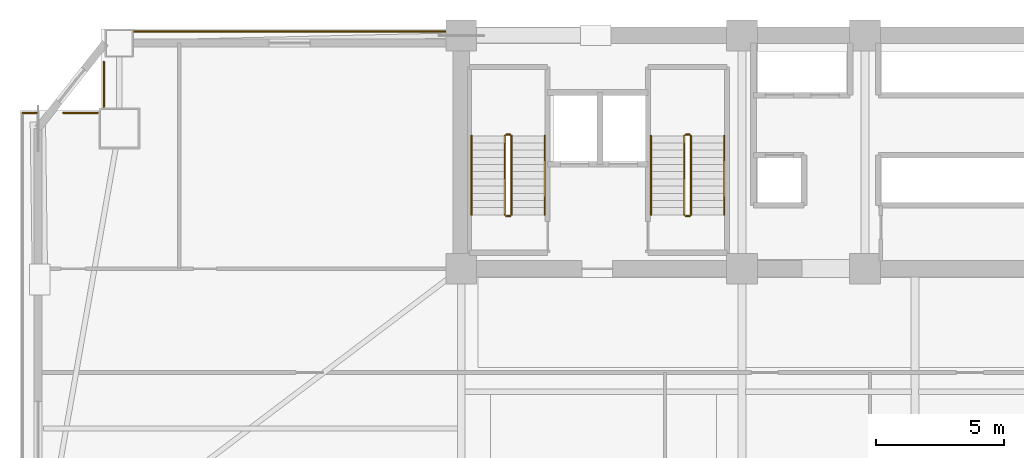
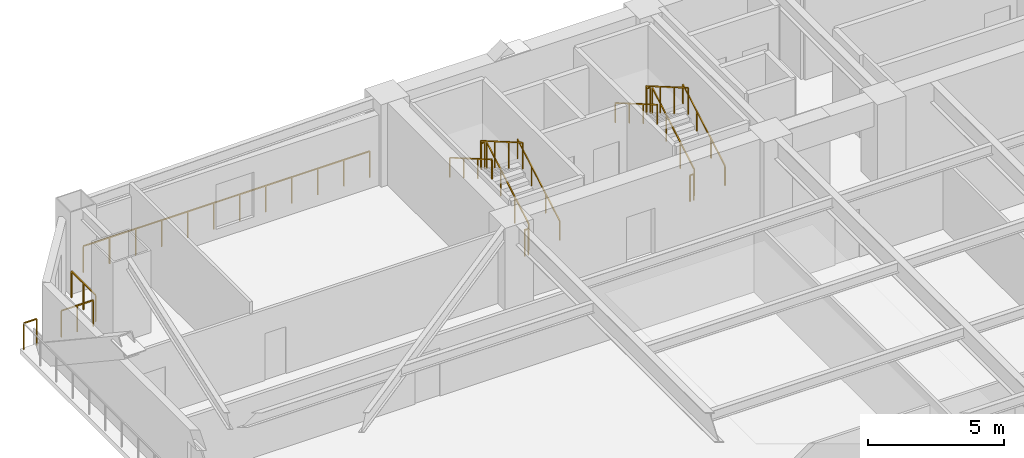
# One storey, part 15 of 17: 16 railings.
"""IFC4 building model written with IfcOpenShell, lengths in metres."""

import ifcopenshell
import ifcopenshell.guid

model = None  # the IFC model being written
_history = None  # IfcOwnerHistory: only IFC2X3 demands one
_inside = {}  # id of a spatial element -> (the spatial element, [elements in it])
_under = {}  # id of a project, library or spatial element -> (it, [spatial elements below it])
_declared = {}  # id of a project -> (the project, [libraries it declares])
_typed = {}  # id of a type object -> (the type object, [elements of that type])
_made_of = {}  # id of a material, layer set ... -> (it, [elements and type objects made of it])


def new_model(schema):
    """Start an empty IFC model of exactly this schema.

    Asked for "IFC4X3", IfcOpenShell would pick the latest addendum, in which some entities
    have other attributes; the version numbers below select the first issue.
    IFC2X3 requires an IfcOwnerHistory on every rooted entity: one is made here for all.
    """
    global model, _history
    if schema == "IFC4X3":
        model = ifcopenshell.file(schema_version=(4, 3, 0, 0))
    else:
        model = ifcopenshell.file(schema=schema)
    _inside.clear()
    _under.clear()
    _declared.clear()
    _typed.clear()
    _made_of.clear()
    _history = None
    if model.schema == "IFC2X3":
        org = make("IfcOrganization", Name="unknown")
        user = make(
            "IfcPersonAndOrganization",
            ThePerson=make("IfcPerson", FamilyName="unknown"),
            TheOrganization=org,
        )
        app = make(
            "IfcApplication",
            ApplicationDeveloper=org,
            Version="unknown",
            ApplicationFullName="unknown",
            ApplicationIdentifier="unknown",
        )
        _history = make(
            "IfcOwnerHistory",
            OwningUser=user,
            OwningApplication=app,
            ChangeAction="ADDED",
            CreationDate=0,
        )
    return model


def make(cls, **values):
    """One entity of the class cls with the attributes given. An attribute that is None is left unset."""
    return model.create_entity(
        cls, **{name: value for name, value in values.items() if value is not None}
    )


def rooted(cls, **values):
    """An entity with a GlobalId (a new one), such as an element, a storey or a relation."""
    return make(cls, GlobalId=ifcopenshell.guid.new(), OwnerHistory=_history, **values)


def si_unit(unit_type, name, prefix=None):
    """IfcSIUnit, for example si_unit("LENGTHUNIT", "METRE", prefix="MILLI")."""
    return make("IfcSIUnit", UnitType=unit_type, Prefix=prefix, Name=name)


def assignment(units):
    """IfcUnitAssignment: the units of a project."""
    return None if units is None else make("IfcUnitAssignment", Units=units)


def point(xyz):
    """IfcCartesianPoint."""
    return None if xyz is None else make("IfcCartesianPoint", Coordinates=xyz)


def direction(xyz):
    """IfcDirection."""
    return None if xyz is None else make("IfcDirection", DirectionRatios=xyz)


def frame(location, z_axis=None, x_axis=None):
    """IfcAxis2Placement3D, a coordinate frame: its origin and axes. An axis left out is left unset."""
    return make(
        "IfcAxis2Placement3D",
        Location=point(location),
        Axis=direction(z_axis),
        RefDirection=direction(x_axis),
    )


def frame_2d(location, x_axis=None):
    """IfcAxis2Placement2D, a coordinate frame in the plane: its origin and x axis."""
    return make(
        "IfcAxis2Placement2D", Location=point(location), RefDirection=direction(x_axis)
    )


def origin():
    """The frame at (0, 0, 0) with its axes left unset."""
    return frame((0.0, 0.0, 0.0))


def origin_2d():
    """The frame at (0, 0) in the plane with its x axis left unset."""
    return frame_2d((0.0, 0.0))


def place(relative_to, where):
    """IfcLocalPlacement: puts the frame where relative to a parent placement (None: the world)."""
    return make(
        "IfcLocalPlacement", PlacementRelTo=relative_to, RelativePlacement=where
    )


def context(
    kind, dimensions, precision=None, world=None, true_north=None, identifier=None
):
    """IfcGeometricRepresentationContext, for example the 3D "Model" context."""
    return make(
        "IfcGeometricRepresentationContext",
        ContextIdentifier=identifier,
        ContextType=kind,
        CoordinateSpaceDimension=dimensions,
        Precision=precision,
        WorldCoordinateSystem=world,
        TrueNorth=true_north,
    )


def subcontext(parent, identifier, kind, view, scale=None):
    """IfcGeometricRepresentationSubContext, for example "Body" below "Model"."""
    return make(
        "IfcGeometricRepresentationSubContext",
        ContextIdentifier=identifier,
        ContextType=kind,
        ParentContext=parent,
        TargetScale=scale,
        TargetView=view,
    )


def project(units=None, contexts=None):
    """IfcProject with its units and contexts."""
    return rooted(
        "IfcProject",
        Name="project",
        RepresentationContexts=contexts,
        UnitsInContext=assignment(units),
    )


def spatial(cls, under=None, at=None, **own):
    """A site, building, storey or space (cls), placed at a placement, below another one or the project."""
    s = rooted(cls, ObjectPlacement=at, **own)
    if under is not None:
        _under.setdefault(under.id(), (under, []))[1].append(s)
    return s


def profile(cls, at=None, kind="AREA", **sizes):
    """A parametric profile (cls). Its sizes go by their IFC names, for example OverallWidth=200.0."""
    return make(cls, ProfileType=kind, Position=at, **sizes)


def rectangle(**sizes):
    """IfcRectangleProfileDef."""
    return profile("IfcRectangleProfileDef", **sizes)


def extrude(swept, where, along, depth):
    """IfcExtrudedAreaSolid: the profile swept, set in the frame where, extruded along a direction by depth."""
    return make(
        "IfcExtrudedAreaSolid",
        SweptArea=swept,
        Position=where,
        ExtrudedDirection=direction(along),
        Depth=depth,
    )


def shape(context_of_items, identifier, shape_type, items):
    """IfcShapeRepresentation: the items that make up one representation, for example the "Body"."""
    return make(
        "IfcShapeRepresentation",
        ContextOfItems=context_of_items,
        RepresentationIdentifier=identifier,
        RepresentationType=shape_type,
        Items=items,
    )


def material(Name=None, Category=None):
    """IfcMaterial."""
    return make("IfcMaterial", Name=Name, Category=Category)


def made_of(thing, what):
    """Note that an element or type object is made of a material, layer set ...; save() writes the relation."""
    if what is not None:
        _made_of.setdefault(what.id(), (what, []))[1].append(thing)
    return thing


def type_object(cls, material=None, **own):
    """A type object (cls), such as IfcWallType, which elements share."""
    return made_of(rooted(cls, **own), material)


def element(
    cls,
    number,
    at=None,
    inside=None,
    cuts=None,
    type_object=None,
    material=None,
    context=None,
    identifier="Body",
    shape_type=None,
    held_by="IfcProductDefinitionShape",
    body=None,
    shapes=None,
    **own,
):
    """One element of the class cls, such as IfcWall. Its Tag is "e" and its number.

    at: its placement. inside: the storey or other place that contains it. cuts: it is an
    opening in that element (IfcRelVoidsElement). A single representation is given by context,
    identifier, shape_type and body (its items); several are given by shapes. held_by: the class
    of the entity that holds the representations. save() writes the other relations.
    """
    e = rooted(cls, Tag="e%d" % number, ObjectPlacement=at, **own)
    if body is not None:
        shapes = [shape(context, identifier, shape_type, body)]
    if shapes is not None:
        e.Representation = make(held_by, Representations=shapes)
    if inside is not None:
        _inside.setdefault(inside.id(), (inside, []))[1].append(e)
    if cuts is not None:
        rooted(
            "IfcRelVoidsElement", RelatingBuildingElement=cuts, RelatedOpeningElement=e
        )
    if type_object is not None:
        _typed.setdefault(type_object.id(), (type_object, []))[1].append(e)
    return made_of(e, material)


def aggregate(whole, parts):
    """IfcRelAggregates: a whole, such as a stair, and the parts it consists of."""
    return rooted("IfcRelAggregates", RelatingObject=whole, RelatedObjects=parts)


def save(model, path):
    """Write the relations noted so far, then the file.

    IfcRelAggregates (storeys below a building ...), IfcRelContainedInSpatialStructure (elements
    in a storey), IfcRelDefinesByType, IfcRelAssociatesMaterial and IfcRelDeclares: one each for
    every whole, place, type object, material and project.
    """
    for whole, parts in _under.values():
        aggregate(whole, parts)
    for where, things in _inside.values():
        rooted(
            "IfcRelContainedInSpatialStructure",
            RelatedElements=things,
            RelatingStructure=where,
        )
    for kind, things in _typed.values():
        rooted("IfcRelDefinesByType", RelatedObjects=things, RelatingType=kind)
    for what, things in _made_of.values():
        rooted("IfcRelAssociatesMaterial", RelatedObjects=things, RelatingMaterial=what)
    for by, libraries in _declared.values():
        rooted("IfcRelDeclares", RelatingContext=by, RelatedDefinitions=libraries)
    model.write(path)


model = new_model("IFC4")

# Units and contexts
model_context = context("Model", 3, precision=1e-05, world=origin(), true_north=direction((0.0, 1.0)))
body_context = subcontext(model_context, "Body", "Model", "MODEL_VIEW")
ifc_project = project(units=[si_unit("LENGTHUNIT", "METRE"), si_unit("AREAUNIT", "SQUARE_METRE"), si_unit("VOLUMEUNIT", "CUBIC_METRE"), si_unit("PLANEANGLEUNIT", "RADIAN"), si_unit("MASSUNIT", "GRAM", prefix="KILO")], contexts=[model_context])

# Site, building, storey
site_placement = place(None, origin())
site = spatial("IfcSite", under=ifc_project, at=site_placement, CompositionType="ELEMENT")
building_placement = place(site_placement, origin())
building = spatial("IfcBuilding", under=site, at=building_placement, Name="Giltprow Tower", CompositionType="ELEMENT")
storey_placement = place(building_placement, frame((0.0, 0.0, 37.10009765625)))
storey = spatial("IfcBuildingStorey", under=building, at=storey_placement, Name="L09", CompositionType="ELEMENT", Elevation=37.10009765625)

# Railings
ifc_material = material(Name="Anodized bronze", Category="metal")
railing_type_1 = type_object("IfcRailingType", Name="RAIL-BALC-GUARD-1200", PredefinedType="BALUSTRADE", material=ifc_material)
railing_1_placement = place(storey_placement, frame((2.735107421875, 43.52587890625, 0.0)))
element("IfcRailing", 1, at=railing_1_placement, inside=storey, type_object=railing_type_1, Name="L09 Corner Apron Edge Balustrade 6", PredefinedType="BALUSTRADE", context=body_context, shape_type="SweptSolid", body=[
    extrude(rectangle(XDim=0.048095703125, YDim=0.048095703125, at=origin_2d()), frame((0.0, 0.0, 1.17578125), z_axis=(1.0, 0.0, 0.0), x_axis=(0.0, 1.0, 0.0)), (0.0, 0.0, 1.0), 0.55078125),
    extrude(rectangle(XDim=0.0419921875, YDim=0.0419921875, at=origin_2d()), origin(), (0.0, 0.0, 1.0), 1.15185546875),
    extrude(rectangle(XDim=0.0419921875, YDim=0.0419921875, at=origin_2d()), frame((0.55078125, 0.0, 0.0)), (0.0, 0.0, 1.0), 1.15185546875),
])
railing_2_placement = place(storey_placement, frame((4.3310546875, 43.52587890625, 0.0)))
element("IfcRailing", 2, at=railing_2_placement, inside=storey, type_object=railing_type_1, Name="L09 Corner Apron Edge Balustrade 7", PredefinedType="BALUSTRADE", context=body_context, shape_type="SweptSolid", body=[
    extrude(rectangle(XDim=0.048095703125, YDim=0.048095703125, at=origin_2d()), frame((0.0, 0.0, 1.17578125), z_axis=(1.0, 0.0, 0.0), x_axis=(0.0, 1.0, 0.0)), (0.0, 0.0, 1.0), 1.343017578125),
    extrude(rectangle(XDim=0.0419921875, YDim=0.0419921875, at=origin_2d()), origin(), (0.0, 0.0, 1.0), 1.15185546875),
    extrude(rectangle(XDim=0.0419921875, YDim=0.0419921875, at=origin_2d()), frame((0.67138671875, 0.0, 0.0)), (0.0, 0.0, 1.0), 1.15185546875),
    extrude(rectangle(XDim=0.0419921875, YDim=0.0419921875, at=origin_2d()), frame((1.343017578125, 0.0, 0.0)), (0.0, 0.0, 1.0), 1.15185546875),
])
railing_3_placement = place(storey_placement, frame((5.908935546875, 43.760986328125, 0.0)))
element("IfcRailing", 3, at=railing_3_placement, inside=storey, type_object=railing_type_1, Name="L09 Corner Apron Edge Balustrade 8", PredefinedType="BALUSTRADE", context=body_context, shape_type="SweptSolid", body=[
    extrude(rectangle(XDim=0.048095703125, YDim=0.048095703125, at=origin_2d()), frame((0.0, 0.0, 1.17578125), z_axis=(0.0, 1.0, 0.0), x_axis=(-1.0, 0.0, 0.0)), (0.0, 0.0, 1.0), 1.763916015625),
    extrude(rectangle(XDim=0.0419921875, YDim=0.0419921875, at=origin_2d()), origin(), (0.0, 0.0, 1.0), 1.15185546875),
    extrude(rectangle(XDim=0.0419921875, YDim=0.0419921875, at=origin_2d()), frame((0.0, 0.8818359375, 0.0)), (0.0, 0.0, 1.0), 1.15185546875),
    extrude(rectangle(XDim=0.0419921875, YDim=0.0419921875, at=origin_2d()), frame((0.0, 1.763916015625, 0.0)), (0.0, 0.0, 1.0), 1.15185546875),
])
railing_4_placement = place(storey_placement, frame((7.093994140625, 46.699951171875, 0.0)))
element("IfcRailing", 4, at=railing_4_placement, inside=storey, type_object=railing_type_1, Name="L09 Corner Apron Edge Balustrade 9", PredefinedType="BALUSTRADE", context=body_context, shape_type="SweptSolid", body=[
    extrude(rectangle(XDim=0.048095703125, YDim=0.048095703125, at=origin_2d()), frame((0.0, 0.0, 1.17578125), z_axis=(1.0, 0.0, 0.0), x_axis=(0.0, 1.0, 0.0)), (0.0, 0.0, 1.0), 12.12109375),
    extrude(rectangle(XDim=0.0419921875, YDim=0.0419921875, at=origin_2d()), origin(), (0.0, 0.0, 1.0), 1.15185546875),
    extrude(rectangle(XDim=0.0419921875, YDim=0.0419921875, at=origin_2d()), frame((1.101806640625, 0.0, 0.0)), (0.0, 0.0, 1.0), 1.15185546875),
    extrude(rectangle(XDim=0.0419921875, YDim=0.0419921875, at=origin_2d()), frame((2.203857421875, 0.0, 0.0)), (0.0, 0.0, 1.0), 1.15185546875),
    extrude(rectangle(XDim=0.0419921875, YDim=0.0419921875, at=origin_2d()), frame((3.3056640625, 0.0, 0.0)), (0.0, 0.0, 1.0), 1.15185546875),
    extrude(rectangle(XDim=0.0419921875, YDim=0.0419921875, at=origin_2d()), frame((4.40771484375, 0.0, 0.0)), (0.0, 0.0, 1.0), 1.15185546875),
    extrude(rectangle(XDim=0.0419921875, YDim=0.0419921875, at=origin_2d()), frame((5.509521484375, 0.0, 0.0)), (0.0, 0.0, 1.0), 1.15185546875),
    extrude(rectangle(XDim=0.0419921875, YDim=0.0419921875, at=origin_2d()), frame((6.611572265625, 0.0, 0.0)), (0.0, 0.0, 1.0), 1.15185546875),
    extrude(rectangle(XDim=0.0419921875, YDim=0.0419921875, at=origin_2d()), frame((7.71337890625, 0.0, 0.0)), (0.0, 0.0, 1.0), 1.15185546875),
    extrude(rectangle(XDim=0.0419921875, YDim=0.0419921875, at=origin_2d()), frame((8.8154296875, 0.0, 0.0)), (0.0, 0.0, 1.0), 1.15185546875),
    extrude(rectangle(XDim=0.0419921875, YDim=0.0419921875, at=origin_2d()), frame((9.917236328125, 0.0, 0.0)), (0.0, 0.0, 1.0), 1.15185546875),
    extrude(rectangle(XDim=0.0419921875, YDim=0.0419921875, at=origin_2d()), frame((11.019287109375, 0.0, 0.0)), (0.0, 0.0, 1.0), 1.15185546875),
    extrude(rectangle(XDim=0.0419921875, YDim=0.0419921875, at=origin_2d()), frame((12.12109375, 0.0, 0.0)), (0.0, 0.0, 1.0), 1.15185546875),
])
railing_type_2 = type_object("IfcRailingType", Name="RAIL-STAIR-GUARD-1200", PredefinedType="GUARDRAIL", material=ifc_material)
railing_5_placement = place(storey_placement, frame((21.81005859375, 39.550048828125, 0.162353515625)))
element("IfcRailing", 5, at=railing_5_placement, inside=storey, type_object=railing_type_2, Name="L09 ST-1 stair guard 1", PredefinedType="GUARDRAIL", context=body_context, shape_type="SweptSolid", body=[
    extrude(rectangle(XDim=0.048095703125, YDim=0.048095703125, at=origin_2d()), frame((0.0, 0.0, 1.17578125), z_axis=(0.0, 0.864873446163, 0.501989962173), x_axis=(-1.0, 0.0, 0.0)), (0.0, 0.0, 1.0), 3.56103515625),
    extrude(rectangle(XDim=0.0419921875, YDim=0.0419921875, at=origin_2d()), origin(), (0.0, 0.0, 1.0), 1.15185546875),
    extrude(rectangle(XDim=0.0419921875, YDim=0.0419921875, at=origin_2d()), frame((0.0, 1.026611328125, 0.595947265625)), (0.0, 0.0, 1.0), 1.15185546875),
    extrude(rectangle(XDim=0.0419921875, YDim=0.0419921875, at=origin_2d()), frame((0.0, 2.05322265625, 1.191650390625)), (0.0, 0.0, 1.0), 1.15185546875),
    extrude(rectangle(XDim=0.0419921875, YDim=0.0419921875, at=origin_2d()), frame((0.0, 3.079833984375, 1.78759765625)), (0.0, 0.0, 1.0), 1.15185546875),
])
railing_6_placement = place(storey_placement, frame((21.760009765625, 42.679931640625, 1.949951171875)))
element("IfcRailing", 6, at=railing_6_placement, inside=storey, type_object=railing_type_2, Name="L09 ST-1 stair guard 2", PredefinedType="GUARDRAIL", context=body_context, shape_type="SweptSolid", body=[
    extrude(rectangle(XDim=0.048095703125, YDim=0.048095703125, at=origin_2d()), frame((0.0, 0.0, 1.17578125), z_axis=(-1.0, 0.0, 0.0), x_axis=(0.0, -1.0, 0.0)), (0.0, 0.0, 1.0), 0.159912109375),
    extrude(rectangle(XDim=0.0419921875, YDim=0.0419921875, at=origin_2d()), origin(), (0.0, 0.0, 1.0), 1.15185546875),
    extrude(rectangle(XDim=0.0419921875, YDim=0.0419921875, at=origin_2d()), frame((-0.159912109375, 0.0, 0.0)), (0.0, 0.0, 1.0), 1.15185546875),
])
railing_7_placement = place(storey_placement, frame((21.550048828125, 42.6298828125, 2.1123046875)))
element("IfcRailing", 7, at=railing_7_placement, inside=storey, type_object=railing_type_2, Name="L09 ST-1 stair guard 3", PredefinedType="GUARDRAIL", context=body_context, shape_type="SweptSolid", body=[
    extrude(rectangle(XDim=0.048095703125, YDim=0.048095703125, at=origin_2d()), frame((0.0, 0.0, 1.17578125), z_axis=(0.0, -0.864873446163, 0.501989962173), x_axis=(1.0, 0.0, 0.0)), (0.0, 0.0, 1.0), 3.56103515625),
    extrude(rectangle(XDim=0.0419921875, YDim=0.0419921875, at=origin_2d()), origin(), (0.0, 0.0, 1.0), 1.15185546875),
    extrude(rectangle(XDim=0.0419921875, YDim=0.0419921875, at=origin_2d()), frame((0.0, -1.026611328125, 0.595947265625)), (0.0, 0.0, 1.0), 1.15185546875),
    extrude(rectangle(XDim=0.0419921875, YDim=0.0419921875, at=origin_2d()), frame((0.0, -2.05322265625, 1.191650390625)), (0.0, 0.0, 1.0), 1.15185546875),
    extrude(rectangle(XDim=0.0419921875, YDim=0.0419921875, at=origin_2d()), frame((0.0, -3.079833984375, 1.78759765625)), (0.0, 0.0, 1.0), 1.15185546875),
])
railing_8_placement = place(storey_placement, frame((21.760009765625, 39.5, 0.0)))
element("IfcRailing", 8, at=railing_8_placement, inside=storey, type_object=railing_type_2, Name="L09 ST-1 stair guard 4", PredefinedType="GUARDRAIL", context=body_context, shape_type="SweptSolid", body=[
    extrude(rectangle(XDim=0.048095703125, YDim=0.048095703125, at=origin_2d()), frame((0.0, 0.0, 1.17578125), z_axis=(-1.0, 0.0, 0.0), x_axis=(0.0, -1.0, 0.0)), (0.0, 0.0, 1.0), 0.159912109375),
    extrude(rectangle(XDim=0.0419921875, YDim=0.0419921875, at=origin_2d()), origin(), (0.0, 0.0, 1.0), 1.15185546875),
    extrude(rectangle(XDim=0.0419921875, YDim=0.0419921875, at=origin_2d()), frame((-0.159912109375, 0.0, 0.0)), (0.0, 0.0, 1.0), 1.15185546875),
])
railing_9_placement = place(storey_placement, frame((28.81005859375, 39.550048828125, 0.162353515625)))
element("IfcRailing", 9, at=railing_9_placement, inside=storey, type_object=railing_type_2, Name="L09 ST-2 stair guard 1", PredefinedType="GUARDRAIL", context=body_context, shape_type="SweptSolid", body=[
    extrude(rectangle(XDim=0.048095703125, YDim=0.048095703125, at=origin_2d()), frame((0.0, 0.0, 1.17578125), z_axis=(0.0, 0.864873446163, 0.501989962173), x_axis=(-1.0, 0.0, 0.0)), (0.0, 0.0, 1.0), 3.56103515625),
    extrude(rectangle(XDim=0.0419921875, YDim=0.0419921875, at=origin_2d()), origin(), (0.0, 0.0, 1.0), 1.15185546875),
    extrude(rectangle(XDim=0.0419921875, YDim=0.0419921875, at=origin_2d()), frame((0.0, 1.026611328125, 0.595947265625)), (0.0, 0.0, 1.0), 1.15185546875),
    extrude(rectangle(XDim=0.0419921875, YDim=0.0419921875, at=origin_2d()), frame((0.0, 2.05322265625, 1.191650390625)), (0.0, 0.0, 1.0), 1.15185546875),
    extrude(rectangle(XDim=0.0419921875, YDim=0.0419921875, at=origin_2d()), frame((0.0, 3.079833984375, 1.78759765625)), (0.0, 0.0, 1.0), 1.15185546875),
])
railing_10_placement = place(storey_placement, frame((28.760009765625, 42.679931640625, 1.949951171875)))
element("IfcRailing", 10, at=railing_10_placement, inside=storey, type_object=railing_type_2, Name="L09 ST-2 stair guard 2", PredefinedType="GUARDRAIL", context=body_context, shape_type="SweptSolid", body=[
    extrude(rectangle(XDim=0.048095703125, YDim=0.048095703125, at=origin_2d()), frame((0.0, 0.0, 1.17578125), z_axis=(-1.0, 0.0, 0.0), x_axis=(0.0, -1.0, 0.0)), (0.0, 0.0, 1.0), 0.159912109375),
    extrude(rectangle(XDim=0.0419921875, YDim=0.0419921875, at=origin_2d()), origin(), (0.0, 0.0, 1.0), 1.15185546875),
    extrude(rectangle(XDim=0.0419921875, YDim=0.0419921875, at=origin_2d()), frame((-0.159912109375, 0.0, 0.0)), (0.0, 0.0, 1.0), 1.15185546875),
])
railing_11_placement = place(storey_placement, frame((28.550048828125, 42.6298828125, 2.1123046875)))
element("IfcRailing", 11, at=railing_11_placement, inside=storey, type_object=railing_type_2, Name="L09 ST-2 stair guard 3", PredefinedType="GUARDRAIL", context=body_context, shape_type="SweptSolid", body=[
    extrude(rectangle(XDim=0.048095703125, YDim=0.048095703125, at=origin_2d()), frame((0.0, 0.0, 1.17578125), z_axis=(0.0, -0.864873446163, 0.501989962173), x_axis=(1.0, 0.0, 0.0)), (0.0, 0.0, 1.0), 3.56103515625),
    extrude(rectangle(XDim=0.0419921875, YDim=0.0419921875, at=origin_2d()), origin(), (0.0, 0.0, 1.0), 1.15185546875),
    extrude(rectangle(XDim=0.0419921875, YDim=0.0419921875, at=origin_2d()), frame((0.0, -1.026611328125, 0.595947265625)), (0.0, 0.0, 1.0), 1.15185546875),
    extrude(rectangle(XDim=0.0419921875, YDim=0.0419921875, at=origin_2d()), frame((0.0, -2.05322265625, 1.191650390625)), (0.0, 0.0, 1.0), 1.15185546875),
    extrude(rectangle(XDim=0.0419921875, YDim=0.0419921875, at=origin_2d()), frame((0.0, -3.079833984375, 1.78759765625)), (0.0, 0.0, 1.0), 1.15185546875),
])
railing_12_placement = place(storey_placement, frame((28.760009765625, 39.5, 0.0)))
element("IfcRailing", 12, at=railing_12_placement, inside=storey, type_object=railing_type_2, Name="L09 ST-2 stair guard 4", PredefinedType="GUARDRAIL", context=body_context, shape_type="SweptSolid", body=[
    extrude(rectangle(XDim=0.048095703125, YDim=0.048095703125, at=origin_2d()), frame((0.0, 0.0, 1.17578125), z_axis=(-1.0, 0.0, 0.0), x_axis=(0.0, -1.0, 0.0)), (0.0, 0.0, 1.0), 0.159912109375),
    extrude(rectangle(XDim=0.0419921875, YDim=0.0419921875, at=origin_2d()), origin(), (0.0, 0.0, 1.0), 1.15185546875),
    extrude(rectangle(XDim=0.0419921875, YDim=0.0419921875, at=origin_2d()), frame((-0.159912109375, 0.0, 0.0)), (0.0, 0.0, 1.0), 1.15185546875),
])
railing_type_3 = type_object("IfcRailingType", Name="RAIL-STAIR-HAND-900", PredefinedType="HANDRAIL", material=ifc_material)
railing_13_placement = place(storey_placement, frame((23.110107421875, 39.550048828125, 0.162353515625)))
element("IfcRailing", 13, at=railing_13_placement, inside=storey, type_object=railing_type_3, Name="L09 ST-1 stair handrail 1", PredefinedType="HANDRAIL", context=body_context, shape_type="SweptSolid", body=[
    extrude(rectangle(XDim=0.048095703125, YDim=0.048095703125, at=origin_2d()), frame((0.0, 0.0, 0.8759765625), z_axis=(0.0, 0.864873446163, 0.501989962173), x_axis=(-1.0, 0.0, 0.0)), (0.0, 0.0, 1.0), 3.56103515625),
    extrude(rectangle(XDim=0.0419921875, YDim=0.0419921875, at=origin_2d()), origin(), (0.0, 0.0, 1.0), 0.851806640625),
    extrude(rectangle(XDim=0.0419921875, YDim=0.0419921875, at=origin_2d()), frame((0.0, 1.026611328125, 0.595947265625)), (0.0, 0.0, 1.0), 0.851806640625),
    extrude(rectangle(XDim=0.0419921875, YDim=0.0419921875, at=origin_2d()), frame((0.0, 2.05322265625, 1.191650390625)), (0.0, 0.0, 1.0), 0.851806640625),
    extrude(rectangle(XDim=0.0419921875, YDim=0.0419921875, at=origin_2d()), frame((0.0, 3.079833984375, 1.78759765625)), (0.0, 0.0, 1.0), 0.851806640625),
])
railing_14_placement = place(storey_placement, frame((20.25, 42.6298828125, 2.1123046875)))
element("IfcRailing", 14, at=railing_14_placement, inside=storey, type_object=railing_type_3, Name="L09 ST-1 stair handrail 2", PredefinedType="HANDRAIL", context=body_context, shape_type="SweptSolid", body=[
    extrude(rectangle(XDim=0.048095703125, YDim=0.048095703125, at=origin_2d()), frame((0.0, 0.0, 0.8759765625), z_axis=(0.0, -0.864873446163, 0.501989962173), x_axis=(1.0, 0.0, 0.0)), (0.0, 0.0, 1.0), 3.56103515625),
    extrude(rectangle(XDim=0.0419921875, YDim=0.0419921875, at=origin_2d()), origin(), (0.0, 0.0, 1.0), 0.851806640625),
    extrude(rectangle(XDim=0.0419921875, YDim=0.0419921875, at=origin_2d()), frame((0.0, -1.026611328125, 0.595947265625)), (0.0, 0.0, 1.0), 0.851806640625),
    extrude(rectangle(XDim=0.0419921875, YDim=0.0419921875, at=origin_2d()), frame((0.0, -2.05322265625, 1.191650390625)), (0.0, 0.0, 1.0), 0.851806640625),
    extrude(rectangle(XDim=0.0419921875, YDim=0.0419921875, at=origin_2d()), frame((0.0, -3.079833984375, 1.78759765625)), (0.0, 0.0, 1.0), 0.851806640625),
])
railing_15_placement = place(storey_placement, frame((30.110107421875, 39.550048828125, 0.162353515625)))
element("IfcRailing", 15, at=railing_15_placement, inside=storey, type_object=railing_type_3, Name="L09 ST-2 stair handrail 1", PredefinedType="HANDRAIL", context=body_context, shape_type="SweptSolid", body=[
    extrude(rectangle(XDim=0.048095703125, YDim=0.048095703125, at=origin_2d()), frame((0.0, 0.0, 0.8759765625), z_axis=(0.0, 0.864873446163, 0.501989962173), x_axis=(-1.0, 0.0, 0.0)), (0.0, 0.0, 1.0), 3.56103515625),
    extrude(rectangle(XDim=0.0419921875, YDim=0.0419921875, at=origin_2d()), origin(), (0.0, 0.0, 1.0), 0.851806640625),
    extrude(rectangle(XDim=0.0419921875, YDim=0.0419921875, at=origin_2d()), frame((0.0, 1.026611328125, 0.595947265625)), (0.0, 0.0, 1.0), 0.851806640625),
    extrude(rectangle(XDim=0.0419921875, YDim=0.0419921875, at=origin_2d()), frame((0.0, 2.05322265625, 1.191650390625)), (0.0, 0.0, 1.0), 0.851806640625),
    extrude(rectangle(XDim=0.0419921875, YDim=0.0419921875, at=origin_2d()), frame((0.0, 3.079833984375, 1.78759765625)), (0.0, 0.0, 1.0), 0.851806640625),
])
railing_16_placement = place(storey_placement, frame((27.25, 42.6298828125, 2.1123046875)))
element("IfcRailing", 16, at=railing_16_placement, inside=storey, type_object=railing_type_3, Name="L09 ST-2 stair handrail 2", PredefinedType="HANDRAIL", context=body_context, shape_type="SweptSolid", body=[
    extrude(rectangle(XDim=0.048095703125, YDim=0.048095703125, at=origin_2d()), frame((0.0, 0.0, 0.8759765625), z_axis=(0.0, -0.864873446163, 0.501989962173), x_axis=(1.0, 0.0, 0.0)), (0.0, 0.0, 1.0), 3.56103515625),
    extrude(rectangle(XDim=0.0419921875, YDim=0.0419921875, at=origin_2d()), origin(), (0.0, 0.0, 1.0), 0.851806640625),
    extrude(rectangle(XDim=0.0419921875, YDim=0.0419921875, at=origin_2d()), frame((0.0, -1.026611328125, 0.595947265625)), (0.0, 0.0, 1.0), 0.851806640625),
    extrude(rectangle(XDim=0.0419921875, YDim=0.0419921875, at=origin_2d()), frame((0.0, -2.05322265625, 1.191650390625)), (0.0, 0.0, 1.0), 0.851806640625),
    extrude(rectangle(XDim=0.0419921875, YDim=0.0419921875, at=origin_2d()), frame((0.0, -3.079833984375, 1.78759765625)), (0.0, 0.0, 1.0), 0.851806640625),
])

save(model, "model.ifc")
